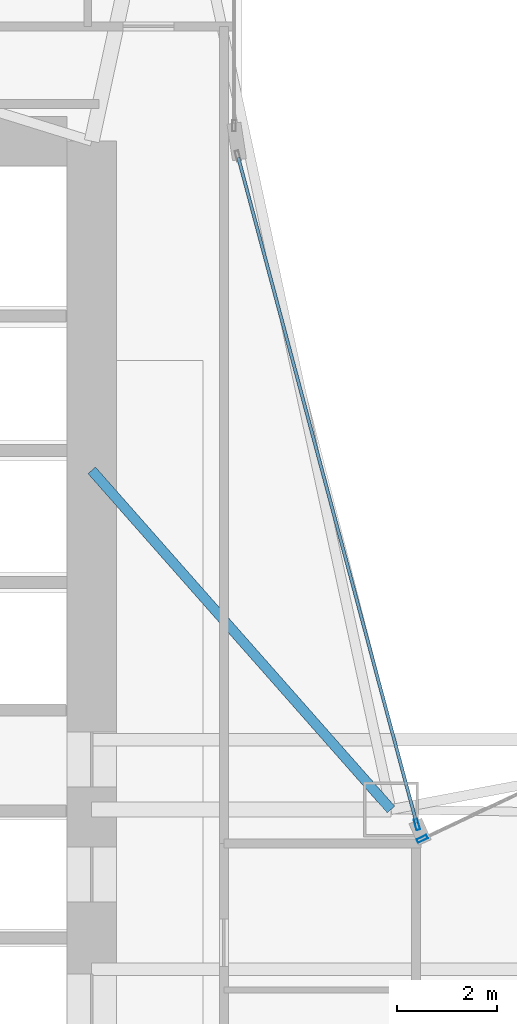
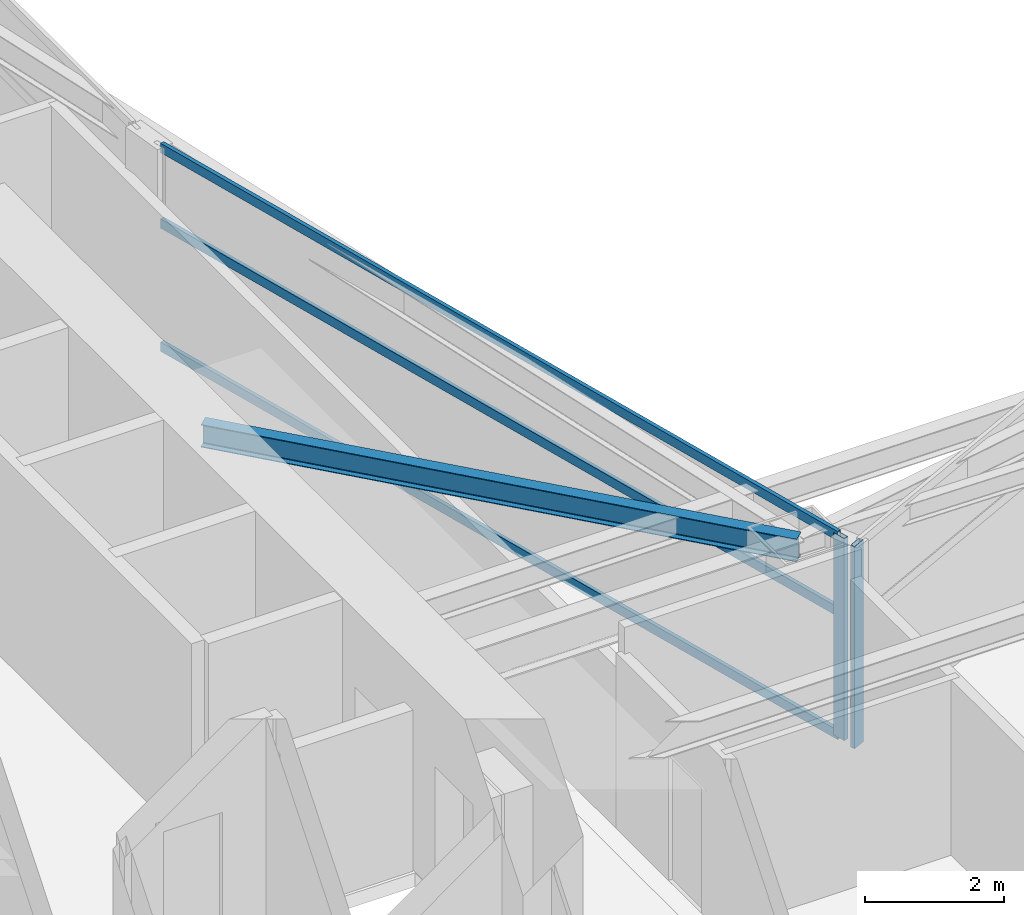
# One storey, part 10 of 29: 5 members, 1 beam, 2 elements without a shape of their own.
"""IFC4 building model written with IfcOpenShell, lengths in metres."""

from ifc_helpers import new_model, si_unit, direction, frame, origin, origin_2d, place, context, subcontext, project, spatial, hollow_rectangle, i_section, extrude, material, layer, layer_set, material_profile, profile_set, type_object, element, aggregate, save


model = new_model("IFC4")

# Units and contexts
model_context = context("Model", 3, precision=1e-05, world=origin(), true_north=direction((0.0, 1.0)))
body_context = subcontext(model_context, "Body", "Model", "MODEL_VIEW")
ifc_project = project(units=[si_unit("LENGTHUNIT", "METRE"), si_unit("AREAUNIT", "SQUARE_METRE"), si_unit("VOLUMEUNIT", "CUBIC_METRE"), si_unit("PLANEANGLEUNIT", "RADIAN"), si_unit("MASSUNIT", "GRAM", prefix="KILO")], contexts=[model_context])

# Site, building, storey
site_placement = place(None, origin())
site = spatial("IfcSite", under=ifc_project, at=site_placement, CompositionType="ELEMENT")
building_placement = place(site_placement, origin())
building = spatial("IfcBuilding", under=site, at=building_placement, Name="Calvorn Quay Hotel", CompositionType="ELEMENT")
storey_placement = place(building_placement, frame((0.0, 0.0, 66.0)))
storey = spatial("IfcBuildingStorey", under=building, at=storey_placement, Name="L15", CompositionType="ELEMENT", Elevation=66.0)

# Beam
ifc_material_1 = material(Name="Steel Q355B", Category="steel")
ifc_material_profile_1 = material_profile(ifc_material_1, i_section(OverallWidth=0.199951171875, OverallDepth=0.39990234375, WebThickness=0.008056640625, FlangeThickness=0.012939453125, FilletRadius=0.01611328125, at=origin_2d()), Name="HN400x200x8x13")
ifc_profile_set_1 = profile_set([ifc_material_profile_1], Name="Steel Q355B")
beam_type = type_object("IfcBeamType", Name="BM-JOIST-TYP", PredefinedType="JOIST", material=ifc_profile_set_1)
beam_placement = place(storey_placement, frame((15.0, 31.800048828125, 3.340087890625), z_axis=(0.661618965899, -0.749840212287, 0.0), x_axis=(0.749840212287, 0.661618965899, 0.0)))
element("IfcBeam", 1, at=beam_placement, inside=storey, type_object=beam_type, Name="Beam BJ-L15-C1", PredefinedType="JOIST", context=body_context, shape_type="SweptSolid", body=[
    extrude(i_section(OverallWidth=0.199951171875, OverallDepth=0.39990234375, WebThickness=0.008056640625, FlangeThickness=0.012939453125, FilletRadius=0.01611328125, at=origin_2d()), origin(), (0.0, 0.0, 1.0), 9.068603515625),
])

# Curtain wall, member
ifc_material_2 = material(Name="Pale Anodised Aluminium and Low-E Glass", Category="aluminium")
ifc_layer = layer(ifc_material_2, 0.219970703125)
ifc_layer_set = layer_set([ifc_layer], Name="CW-SYS-Z1")
curtain_wall_type = type_object("IfcCurtainWallType", Name="CW-SYS-Z1", PredefinedType="NOTDEFINED", material=ifc_layer_set)
curtain_wall_1_placement = place(storey_placement, origin())
curtain_wall_1 = element("IfcCurtainWall", 2, at=curtain_wall_1_placement, inside=storey, type_object=curtain_wall_type, Name="Inner Court Curtain Wall L15-NE1", PredefinedType="NOTDEFINED")
ifc_material_3 = material(Name="Pale Anodised Aluminium 6063-T6", Category="aluminium")
ifc_material_profile_2 = material_profile(ifc_material_3, hollow_rectangle(XDim=0.074951171875, YDim=0.219970703125, WallThickness=0.00439453125, at=origin_2d()), Name="ALU-M220x75x4.5")
ifc_profile_set_2 = profile_set([ifc_material_profile_2], Name="Pale Anodised Aluminium 6063-T6")
member_type_1 = type_object("IfcMemberType", Name="CW-SYS-Z1-MUL", PredefinedType="MULLION", material=ifc_profile_set_2)
member_1_placement = place(storey_placement, frame((21.627197265625, 24.412841796875, 0.0), z_axis=(0.0, 0.0, 1.0), x_axis=(0.427006305415, -0.904248646743, 0.0)))
member_1 = element("IfcMember", 3, at=member_1_placement, type_object=member_type_1, Name="CW-L15-NE1 mullion 4", PredefinedType="MULLION", context=body_context, shape_type="SweptSolid", body=[
    extrude(hollow_rectangle(XDim=0.074951171875, YDim=0.219970703125, WallThickness=0.00439453125, at=origin_2d()), origin(), (0.0, 0.0, 1.0), 3.56005859375),
])
aggregate(curtain_wall_1, [member_1])

# Curtain wall, members
curtain_wall_2_placement = place(storey_placement, origin())
curtain_wall_2 = element("IfcCurtainWall", 4, at=curtain_wall_2_placement, inside=storey, type_object=curtain_wall_type, Name="Inner Court Curtain Wall L15-IC1", PredefinedType="NOTDEFINED")
member_2_placement = place(storey_placement, frame((21.520263671875, 24.698974609375, 0.0), z_axis=(0.0, 0.0, 1.0), x_axis=(-0.96593652056, -0.25877913024, 0.0)))
member_2 = element("IfcMember", 5, at=member_2_placement, type_object=member_type_1, Name="CW-L15-IC1 mullion 1", PredefinedType="MULLION", context=body_context, shape_type="SweptSolid", body=[
    extrude(hollow_rectangle(XDim=0.074951171875, YDim=0.219970703125, WallThickness=0.00439453125, at=origin_2d()), origin(), (0.0, 0.0, 1.0), 3.56005859375),
])
ifc_material_4 = material(Name="Pale Anodised Aluminium 6063-T6", Category="aluminium")
ifc_material_profile_3 = material_profile(ifc_material_4, hollow_rectangle(XDim=0.06494140625, YDim=0.1650390625, WallThickness=0.00341796875, at=origin_2d()), Name="ALU-T165x65x3.5")
ifc_profile_set_3 = profile_set([ifc_material_profile_3], Name="Pale Anodised Aluminium 6063-T6")
member_type_2 = type_object("IfcMemberType", Name="CW-SYS-Z1-TRN", PredefinedType="USERDEFINED", material=ifc_profile_set_3)
member_3_placement = place(storey_placement, frame((21.512451171875, 24.72802734375, 0.030029296875), z_axis=(-0.258781136883, 0.965935982969, 0.0), x_axis=(-0.965935982969, -0.258781136883, 0.0)))
member_3 = element("IfcMember", 6, at=member_3_placement, type_object=member_type_2, Name="CW-L15-IC1 transom 1.1", ObjectType="TRANSOM", PredefinedType="USERDEFINED", context=body_context, shape_type="SweptSolid", body=[
    extrude(hollow_rectangle(XDim=0.06494140625, YDim=0.1650390625, WallThickness=0.00341796875, at=origin_2d()), origin(), (0.0, 0.0, 1.0), 13.814453125),
])
member_4_placement = place(storey_placement, frame((21.512451171875, 24.72802734375, 2.199951171875), z_axis=(-0.258781136883, 0.965935982969, 0.0), x_axis=(-0.965935982969, -0.258781136883, 0.0)))
member_4 = element("IfcMember", 7, at=member_4_placement, type_object=member_type_2, Name="CW-L15-IC1 transom 1.2", ObjectType="TRANSOM", PredefinedType="USERDEFINED", context=body_context, shape_type="SweptSolid", body=[
    extrude(hollow_rectangle(XDim=0.06494140625, YDim=0.1650390625, WallThickness=0.00341796875, at=origin_2d()), origin(), (0.0, 0.0, 1.0), 13.814453125),
])
member_5_placement = place(storey_placement, frame((21.512451171875, 24.72802734375, 3.530029296875), z_axis=(-0.258781136883, 0.965935982969, 0.0), x_axis=(-0.965935982969, -0.258781136883, 0.0)))
member_5 = element("IfcMember", 8, at=member_5_placement, type_object=member_type_2, Name="CW-L15-IC1 transom 1.3", ObjectType="TRANSOM", PredefinedType="USERDEFINED", context=body_context, shape_type="SweptSolid", body=[
    extrude(hollow_rectangle(XDim=0.06494140625, YDim=0.1650390625, WallThickness=0.00341796875, at=origin_2d()), origin(), (0.0, 0.0, 1.0), 13.814453125),
])
aggregate(curtain_wall_2, [member_2, member_3, member_4, member_5])

save(model, "model.ifc")
